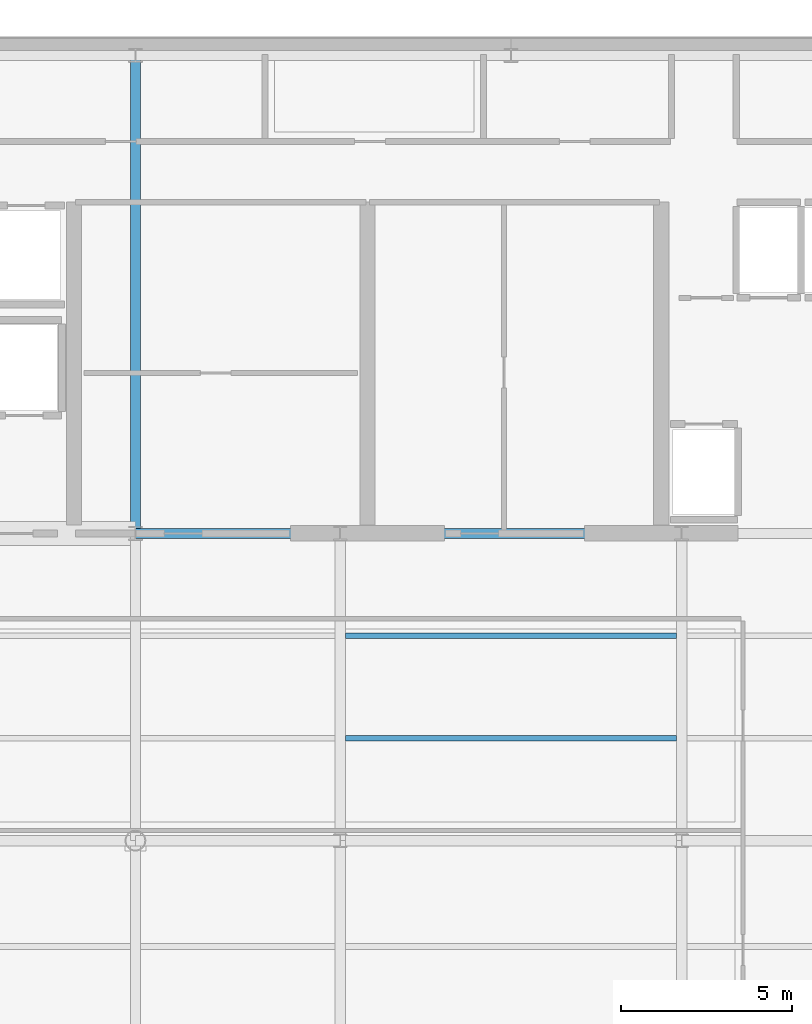
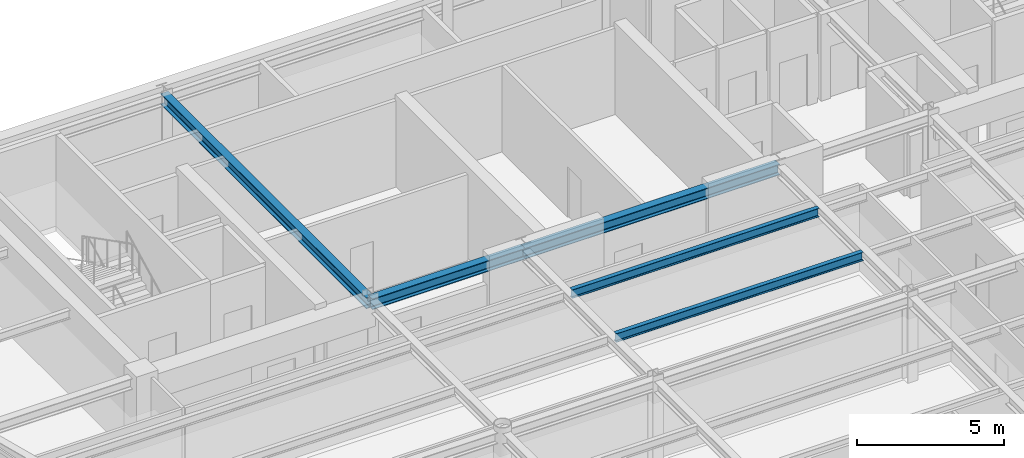
# One storey, part 5 of 19: 5 beams.
"""IFC4 building model written with IfcOpenShell, lengths in metres."""

from ifc_helpers import new_model, si_unit, direction, frame, origin, origin_2d, place, context, subcontext, project, spatial, i_section, extrude, source, transform, mapped, material, material_profile, profile_set, type_object, element, save


model = new_model("IFC4")

# Units and contexts
model_context = context("Model", 3, precision=1e-05, world=origin(), true_north=direction((0.0, 1.0)))
body_context = subcontext(model_context, "Body", "Model", "MODEL_VIEW")
ifc_project = project(units=[si_unit("LENGTHUNIT", "METRE"), si_unit("AREAUNIT", "SQUARE_METRE"), si_unit("VOLUMEUNIT", "CUBIC_METRE"), si_unit("PLANEANGLEUNIT", "RADIAN"), si_unit("MASSUNIT", "GRAM", prefix="KILO")], contexts=[model_context])

# Site, building, storey
site_placement = place(None, origin())
site = spatial("IfcSite", under=ifc_project, at=site_placement, CompositionType="ELEMENT")
building_placement = place(site_placement, origin())
building = spatial("IfcBuilding", under=site, at=building_placement, Name="Vaeldorn Concourse Tower", CompositionType="ELEMENT")
storey_placement = place(building_placement, frame((0.0, 0.0, 287.800048828125)))
storey = spatial("IfcBuildingStorey", under=building, at=storey_placement, Name="L74", CompositionType="ELEMENT", Elevation=287.800048828125)

# Beams
ifc_material = material(Name="Steel S355", Category="steel")
ifc_material_profile_1 = material_profile(ifc_material, i_section(OverallWidth=0.300048828125, OverallDepth=0.449951171875, WebThickness=0.013916015625, FlangeThickness=0.02587890625, FilletRadius=0.027099609375, at=origin_2d()), Name="HEB 450")
ifc_profile_set_1 = profile_set([ifc_material_profile_1], Name="Steel S355")
beam_type_1 = type_object("IfcBeamType", Name="BM-PG-HEB450", PredefinedType="BEAM", material=ifc_profile_set_1)
shared_shape_1 = source(origin(), body_context, "Body", "SweptSolid", [
    extrude(i_section(OverallWidth=0.300048828125, OverallDepth=0.449951171875, WebThickness=0.013916015625, FlangeThickness=0.02587890625, FilletRadius=0.027099609375, at=origin_2d()), origin(), (0.0, 0.0, 1.0), 6.0),
])
beam_1_placement = place(storey_placement, frame((23.0, 36.5, 3.35498046875), z_axis=(1.0, 0.0, 0.0), x_axis=(0.0, 1.0, 0.0)))
element("IfcBeam", 1, at=beam_1_placement, inside=storey, type_object=beam_type_1, Name="Beam BM-L74-C-FC2-C-FC3", PredefinedType="BEAM", context=body_context, shape_type="MappedRepresentation", body=[
    mapped(shared_shape_1, transform((0.0, 0.0, 0.0), scale=1.0)),
])
shared_shape_2 = source(origin(), body_context, "Body", "SweptSolid", [
    extrude(i_section(OverallWidth=0.300048828125, OverallDepth=0.449951171875, WebThickness=0.013916015625, FlangeThickness=0.02587890625, FilletRadius=0.027099609375, at=origin_2d()), origin(), (0.0, 0.0, 1.0), 10.0),
])
beam_2_placement = place(storey_placement, frame((29.0, 36.5, 3.35498046875), z_axis=(1.0, 0.0, 0.0), x_axis=(0.0, 1.0, 0.0)))
element("IfcBeam", 2, at=beam_2_placement, inside=storey, type_object=beam_type_1, Name="Beam BM-L74-C-FC3-C-FC4", PredefinedType="BEAM", context=body_context, shape_type="MappedRepresentation", body=[
    mapped(shared_shape_2, transform((0.0, 0.0, 0.0), scale=1.0)),
])
ifc_material_profile_2 = material_profile(ifc_material, i_section(OverallWidth=0.169921875, OverallDepth=0.360107421875, WebThickness=0.008056640625, FlangeThickness=0.0126953125, FilletRadius=0.01806640625, at=origin_2d()), Name="IPE 360")
ifc_profile_set_2 = profile_set([ifc_material_profile_2], Name="Steel S355")
beam_type_2 = type_object("IfcBeamType", Name="BM-JS-IPE360", PredefinedType="JOIST", material=ifc_profile_set_2)
shared_shape_3 = source(origin(), body_context, "Body", "SweptSolid", [
    extrude(i_section(OverallWidth=0.169921875, OverallDepth=0.360107421875, WebThickness=0.008056640625, FlangeThickness=0.0126953125, FilletRadius=0.01806640625, at=origin_2d()), origin(), (0.0, 0.0, 1.0), 9.7001953125),
])
for number, where, z_axis, x_axis, name in (
    (3, (29.14990234375, 30.5, 3.39990234375), (1.0, 0.0, 0.0), (0.0, 1.0, 0.0), "Beam JS-L74-C-305"),
    (4, (29.14990234375, 33.5, 3.39990234375), (1.0, 0.0, 0.0), (0.0, 1.0, 0.0), "Beam JS-L74-C-335"),
):
    element("IfcBeam", number, at=place(storey_placement, frame(where, z_axis=z_axis, x_axis=x_axis)), inside=storey, type_object=beam_type_2, Name=name, PredefinedType="JOIST", context=body_context, shape_type="MappedRepresentation", body=[
        mapped(shared_shape_3, transform((0.0, 0.0, 0.0), scale=1.0)),
    ])
shared_shape_4 = source(origin(), body_context, "Body", "SweptSolid", [
    extrude(i_section(OverallWidth=0.300048828125, OverallDepth=0.449951171875, WebThickness=0.013916015625, FlangeThickness=0.02587890625, FilletRadius=0.027099609375, at=origin_2d()), origin(), (0.0, 0.0, 1.0), 14.0),
])
beam_3_placement = place(storey_placement, frame((23.0, 36.5, 3.35498046875), z_axis=(0.0, 1.0, 0.0), x_axis=(-1.0, 0.0, 0.0)))
element("IfcBeam", 5, at=beam_3_placement, inside=storey, type_object=beam_type_1, Name="Beam BM-L74-C-FC2-C-HC2", PredefinedType="BEAM", context=body_context, shape_type="MappedRepresentation", body=[
    mapped(shared_shape_4, transform((0.0, 0.0, 0.0), scale=1.0)),
])

save(model, "model.ifc")
